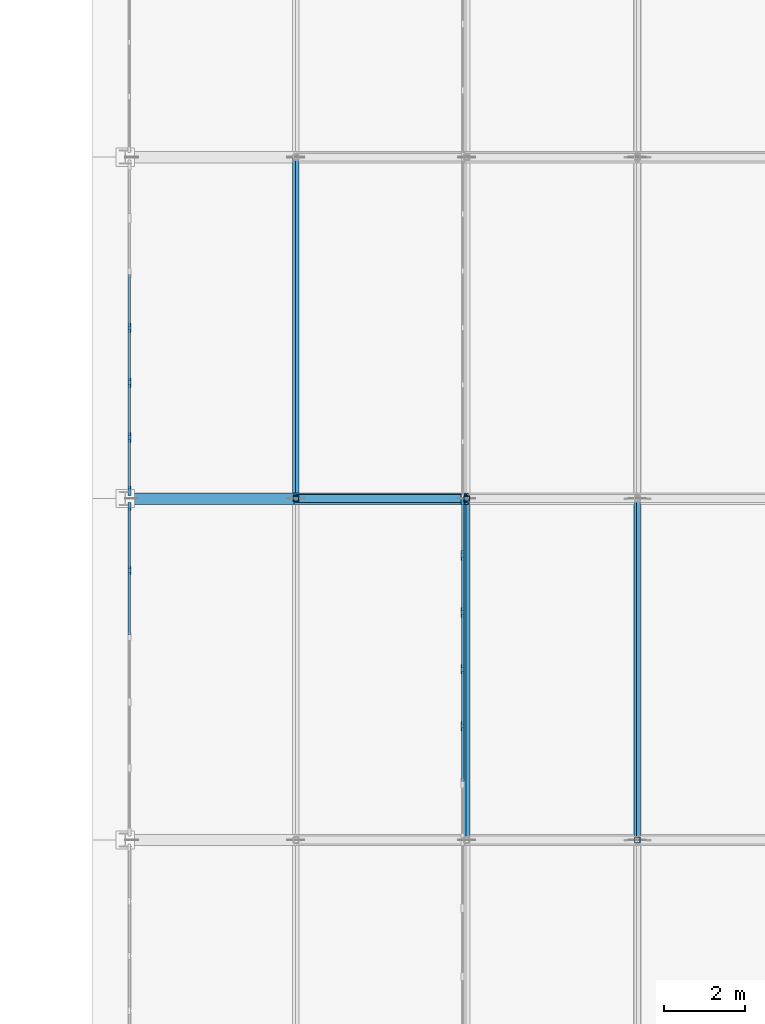
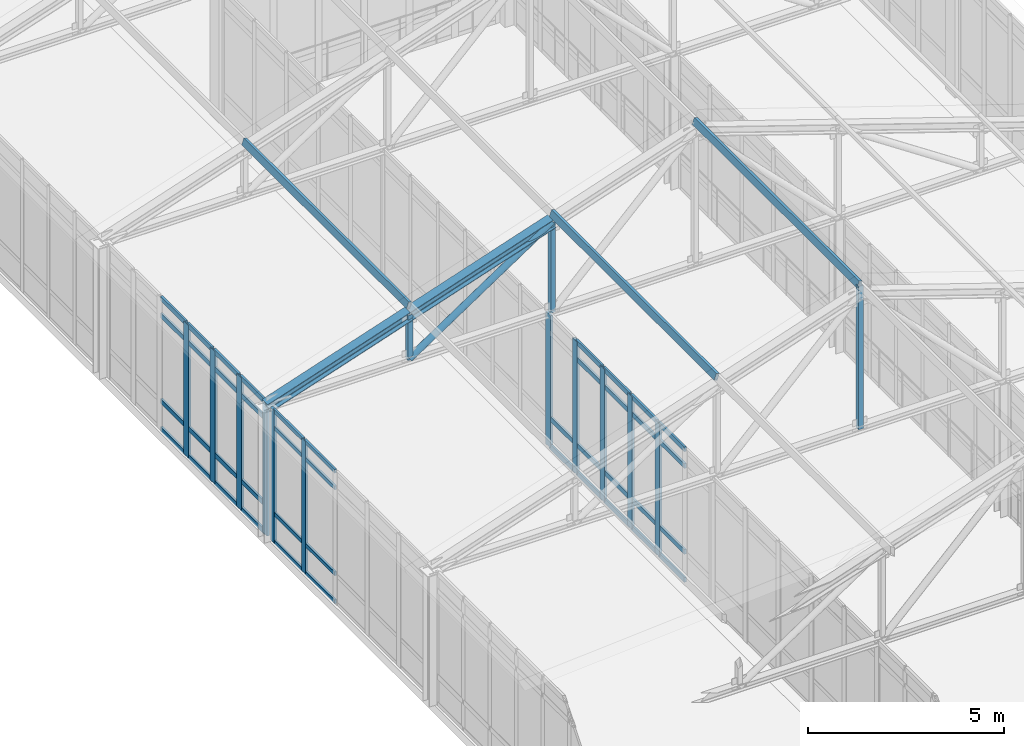
# One storey, part 52 of 192: 62 members, 3 elements without a shape of their own.
"""IFC4 building model written with IfcOpenShell, lengths in metres."""

from ifc_helpers import new_model, si_unit, direction, frame, origin, origin_2d, place, context, subcontext, project, spatial, rectangle, hollow_rectangle, hollow_circle, i_section, extrude, material, layer, layer_set, material_profile, profile_set, type_object, element, aggregate, save


model = new_model("IFC4")

# Units and contexts
model_context = context("Model", 3, precision=1e-05, world=origin(), true_north=direction((0.0, 1.0)))
body_context = subcontext(model_context, "Body", "Model", "MODEL_VIEW")
ifc_project = project(units=[si_unit("LENGTHUNIT", "METRE"), si_unit("AREAUNIT", "SQUARE_METRE"), si_unit("VOLUMEUNIT", "CUBIC_METRE"), si_unit("PLANEANGLEUNIT", "RADIAN"), si_unit("MASSUNIT", "GRAM", prefix="KILO")], contexts=[model_context])

# Site, building, storey
site_placement = place(None, origin())
site = spatial("IfcSite", under=ifc_project, at=site_placement, CompositionType="ELEMENT")
building_placement = place(site_placement, origin())
building = spatial("IfcBuilding", under=site, at=building_placement, Name="Kveldsbrygga Polytechnic", CompositionType="ELEMENT")
storey_placement = place(building_placement, frame((0.0, 0.0, 5.43994140625)))
storey = spatial("IfcBuildingStorey", under=building, at=storey_placement, Name="L01", CompositionType="ELEMENT", Elevation=5.43994140625)

# Curtain wall, members
ifc_material_1 = material(Name="Anodised aluminium AW-6060", Category="aluminium")
ifc_layer_1 = layer(ifc_material_1, 0.18994140625)
ifc_layer_set_1 = layer_set([ifc_layer_1], Name="Anodised aluminium AW-6060")
curtain_wall_type_1 = type_object("IfcCurtainWallType", Name="CW-REFC-G", PredefinedType="USERDEFINED", material=ifc_layer_set_1)
curtain_wall_1_placement = place(storey_placement, origin())
curtain_wall_1 = element("IfcCurtainWall", 1, at=curtain_wall_1_placement, inside=storey, type_object=curtain_wall_type_1, Name="Curtain Wall CW-L01-Y-06-06", ObjectType="UNITISED CURTAIN WALL", PredefinedType="USERDEFINED")
ifc_material_profile_1 = material_profile(ifc_material_1, rectangle(XDim=0.074951171875, YDim=0.199951171875, at=origin_2d()), Name="ALU 75x200")
ifc_profile_set_1 = profile_set([ifc_material_profile_1], Name="Anodised aluminium AW-6060")
member_type_1 = type_object("IfcMemberType", Name="CW-MUL-200", PredefinedType="MULLION", material=ifc_profile_set_1)
member_1_placement = place(storey_placement, frame((50.5, 57.027099609375, 0.0), z_axis=(0.0, 0.0, 1.0), x_axis=(-1.0, 0.0, 0.0)))
member_1 = element("IfcMember", 2, at=member_1_placement, type_object=member_type_1, Name="CW-07 mullion 5", PredefinedType="MULLION", context=body_context, shape_type="SweptSolid", body=[
    extrude(rectangle(XDim=0.074951171875, YDim=0.199951171875, at=origin_2d()), origin(), (0.0, 0.0, 1.0), 4.1201171875),
])
member_2_placement = place(storey_placement, frame((50.5, 58.607421875, 0.0), z_axis=(0.0, 0.0, 1.0), x_axis=(-1.0, 0.0, 0.0)))
member_2 = element("IfcMember", 3, at=member_2_placement, type_object=member_type_1, Name="CW-07 mullion 6", PredefinedType="MULLION", context=body_context, shape_type="SweptSolid", body=[
    extrude(rectangle(XDim=0.074951171875, YDim=0.199951171875, at=origin_2d()), origin(), (0.0, 0.0, 1.0), 4.1201171875),
])

ifc_layer_2 = layer(ifc_material_1, 0.2099609375)
ifc_layer_set_2 = layer_set([ifc_layer_2], Name="Anodised aluminium AW-6060")
curtain_wall_type_2 = type_object("IfcCurtainWallType", Name="CW-LIBR-H", PredefinedType="USERDEFINED", material=ifc_layer_set_2)
curtain_wall_2_placement = place(storey_placement, origin())
curtain_wall_2 = element("IfcCurtainWall", 4, at=curtain_wall_2_placement, inside=storey, type_object=curtain_wall_type_2, Name="Curtain Wall CW-L01-Y-07-06", ObjectType="UNITISED CURTAIN WALL", PredefinedType="USERDEFINED")
ifc_material_profile_2 = material_profile(ifc_material_1, rectangle(XDim=0.074951171875, YDim=0.239990234375, at=origin_2d()), Name="ALU 75x240")
ifc_profile_set_2 = profile_set([ifc_material_profile_2], Name="Anodised aluminium AW-6060")
member_type_2 = type_object("IfcMemberType", Name="CW-MUL-240", PredefinedType="MULLION", material=ifc_profile_set_2)
member_3_placement = place(storey_placement, frame((58.699951171875, 53.199951171875, 0.0), z_axis=(0.0, 0.0, 1.0), x_axis=(-1.0, 0.0, 0.0)))
member_3 = element("IfcMember", 5, at=member_3_placement, type_object=member_type_2, Name="CW-08 mullion 3", PredefinedType="MULLION", context=body_context, shape_type="SweptSolid", body=[
    extrude(rectangle(XDim=0.074951171875, YDim=0.239990234375, at=origin_2d()), origin(), (0.0, 0.0, 1.0), 4.1201171875),
])
member_4_placement = place(storey_placement, frame((58.699951171875, 54.60009765625, 0.0), z_axis=(0.0, 0.0, 1.0), x_axis=(-1.0, 0.0, 0.0)))
member_4 = element("IfcMember", 6, at=member_4_placement, type_object=member_type_2, Name="CW-08 mullion 4", PredefinedType="MULLION", context=body_context, shape_type="SweptSolid", body=[
    extrude(rectangle(XDim=0.074951171875, YDim=0.239990234375, at=origin_2d()), origin(), (0.0, 0.0, 1.0), 4.1201171875),
])
member_5_placement = place(storey_placement, frame((58.699951171875, 56.0, 0.0), z_axis=(0.0, 0.0, 1.0), x_axis=(-1.0, 0.0, 0.0)))
member_5 = element("IfcMember", 7, at=member_5_placement, type_object=member_type_2, Name="CW-08 mullion 5", PredefinedType="MULLION", context=body_context, shape_type="SweptSolid", body=[
    extrude(rectangle(XDim=0.074951171875, YDim=0.239990234375, at=origin_2d()), origin(), (0.0, 0.0, 1.0), 4.1201171875),
])
member_6_placement = place(storey_placement, frame((58.699951171875, 57.39990234375, 0.0), z_axis=(0.0, 0.0, 1.0), x_axis=(-1.0, 0.0, 0.0)))
member_6 = element("IfcMember", 8, at=member_6_placement, type_object=member_type_2, Name="CW-08 mullion 6", PredefinedType="MULLION", context=body_context, shape_type="SweptSolid", body=[
    extrude(rectangle(XDim=0.074951171875, YDim=0.239990234375, at=origin_2d()), origin(), (0.0, 0.0, 1.0), 4.1201171875),
])
member_7_placement = place(storey_placement, frame((58.699951171875, 58.762451171875, 0.0), z_axis=(0.0, 0.0, 1.0), x_axis=(-1.0, 0.0, 0.0)))
member_7 = element("IfcMember", 9, at=member_7_placement, type_object=member_type_2, Name="CW-08 mullion 7", PredefinedType="MULLION", context=body_context, shape_type="SweptSolid", body=[
    extrude(rectangle(XDim=0.074951171875, YDim=0.239990234375, at=origin_2d()), origin(), (0.0, 0.0, 1.0), 4.1201171875),
])

curtain_wall_3_placement = place(storey_placement, origin())
curtain_wall_3 = element("IfcCurtainWall", 10, at=curtain_wall_3_placement, inside=storey, type_object=curtain_wall_type_2, Name="Curtain Wall CW-L01-Y-06-07", ObjectType="UNITISED CURTAIN WALL", PredefinedType="USERDEFINED")
member_8_placement = place(storey_placement, frame((50.5, 58.992431640625, 0.0), z_axis=(0.0, 0.0, 1.0), x_axis=(-1.0, 0.0, 0.0)))
member_8 = element("IfcMember", 11, at=member_8_placement, type_object=member_type_2, Name="CW-08 mullion 1", PredefinedType="MULLION", context=body_context, shape_type="SweptSolid", body=[
    extrude(rectangle(XDim=0.074951171875, YDim=0.239990234375, at=origin_2d()), origin(), (0.0, 0.0, 1.0), 4.1201171875),
])
member_9_placement = place(storey_placement, frame((50.5, 60.30322265625, 0.0), z_axis=(0.0, 0.0, 1.0), x_axis=(-1.0, 0.0, 0.0)))
member_9 = element("IfcMember", 12, at=member_9_placement, type_object=member_type_2, Name="CW-08 mullion 2", PredefinedType="MULLION", context=body_context, shape_type="SweptSolid", body=[
    extrude(rectangle(XDim=0.074951171875, YDim=0.239990234375, at=origin_2d()), origin(), (0.0, 0.0, 1.0), 4.1201171875),
])
member_10_placement = place(storey_placement, frame((50.5, 61.651611328125, 0.0), z_axis=(0.0, 0.0, 1.0), x_axis=(-1.0, 0.0, 0.0)))
member_10 = element("IfcMember", 13, at=member_10_placement, type_object=member_type_2, Name="CW-08 mullion 3", PredefinedType="MULLION", context=body_context, shape_type="SweptSolid", body=[
    extrude(rectangle(XDim=0.074951171875, YDim=0.239990234375, at=origin_2d()), origin(), (0.0, 0.0, 1.0), 4.1201171875),
])
member_11_placement = place(storey_placement, frame((50.5, 63.0, 0.0), z_axis=(0.0, 0.0, 1.0), x_axis=(-1.0, 0.0, 0.0)))
member_11 = element("IfcMember", 14, at=member_11_placement, type_object=member_type_2, Name="CW-08 mullion 4", PredefinedType="MULLION", context=body_context, shape_type="SweptSolid", body=[
    extrude(rectangle(XDim=0.074951171875, YDim=0.239990234375, at=origin_2d()), origin(), (0.0, 0.0, 1.0), 4.1201171875),
])

# Member
ifc_material_profile_3 = material_profile(ifc_material_1, rectangle(XDim=0.06005859375, YDim=0.1201171875, at=origin_2d()), Name="ALU 60x120")
ifc_profile_set_3 = profile_set([ifc_material_profile_3], Name="Anodised aluminium AW-6060")
member_type_3 = type_object("IfcMemberType", Name="CW-TRN-120", PredefinedType="USERDEFINED", material=ifc_profile_set_3)
member_12_placement = place(storey_placement, frame((50.5, 55.446533203125, 0.030029296875), z_axis=(0.0, 1.0, 0.0), x_axis=(-1.0, 0.0, 0.0)))
member_12 = element("IfcMember", 15, at=member_12_placement, type_object=member_type_3, Name="CW-07 transom 4.1", ObjectType="TRANSOM", PredefinedType="USERDEFINED", context=body_context, shape_type="SweptSolid", body=[
    extrude(rectangle(XDim=0.06005859375, YDim=0.1201171875, at=origin_2d()), origin(), (0.0, 0.0, 1.0), 1.54296875),
])

member_13_placement = place(storey_placement, frame((50.5, 55.446533203125, 0.900146484375), z_axis=(0.0, 1.0, 0.0), x_axis=(-1.0, 0.0, 0.0)))
member_13 = element("IfcMember", 16, at=member_13_placement, type_object=member_type_3, Name="CW-07 transom 4.2", ObjectType="TRANSOM", PredefinedType="USERDEFINED", context=body_context, shape_type="SweptSolid", body=[
    extrude(rectangle(XDim=0.06005859375, YDim=0.1201171875, at=origin_2d()), origin(), (0.0, 0.0, 1.0), 1.54296875),
])

member_14_placement = place(storey_placement, frame((50.5, 55.446533203125, 3.570068359375), z_axis=(0.0, 1.0, 0.0), x_axis=(-1.0, 0.0, 0.0)))
member_14 = element("IfcMember", 17, at=member_14_placement, type_object=member_type_3, Name="CW-07 transom 4.3", ObjectType="TRANSOM", PredefinedType="USERDEFINED", context=body_context, shape_type="SweptSolid", body=[
    extrude(rectangle(XDim=0.06005859375, YDim=0.1201171875, at=origin_2d()), origin(), (0.0, 0.0, 1.0), 1.54296875),
])

member_15_placement = place(storey_placement, frame((50.5, 55.446533203125, 4.090087890625), z_axis=(0.0, 1.0, 0.0), x_axis=(-1.0, 0.0, 0.0)))
member_15 = element("IfcMember", 18, at=member_15_placement, type_object=member_type_3, Name="CW-07 transom 4.4", ObjectType="TRANSOM", PredefinedType="USERDEFINED", context=body_context, shape_type="SweptSolid", body=[
    extrude(rectangle(XDim=0.06005859375, YDim=0.1201171875, at=origin_2d()), origin(), (0.0, 0.0, 1.0), 1.54296875),
])

member_16_placement = place(storey_placement, frame((50.5, 57.064453125, 0.030029296875), z_axis=(0.0, 1.0, 0.0), x_axis=(-1.0, 0.0, 0.0)))
member_16 = element("IfcMember", 19, at=member_16_placement, type_object=member_type_3, Name="CW-07 transom 5.1", ObjectType="TRANSOM", PredefinedType="USERDEFINED", context=body_context, shape_type="SweptSolid", body=[
    extrude(rectangle(XDim=0.06005859375, YDim=0.1201171875, at=origin_2d()), origin(), (0.0, 0.0, 1.0), 1.505615234375),
])

member_17_placement = place(storey_placement, frame((50.5, 57.064453125, 0.900146484375), z_axis=(0.0, 1.0, 0.0), x_axis=(-1.0, 0.0, 0.0)))
member_17 = element("IfcMember", 20, at=member_17_placement, type_object=member_type_3, Name="CW-07 transom 5.2", ObjectType="TRANSOM", PredefinedType="USERDEFINED", context=body_context, shape_type="SweptSolid", body=[
    extrude(rectangle(XDim=0.06005859375, YDim=0.1201171875, at=origin_2d()), origin(), (0.0, 0.0, 1.0), 1.505615234375),
])

member_18_placement = place(storey_placement, frame((50.5, 57.064453125, 3.570068359375), z_axis=(0.0, 1.0, 0.0), x_axis=(-1.0, 0.0, 0.0)))
member_18 = element("IfcMember", 21, at=member_18_placement, type_object=member_type_3, Name="CW-07 transom 5.3", ObjectType="TRANSOM", PredefinedType="USERDEFINED", context=body_context, shape_type="SweptSolid", body=[
    extrude(rectangle(XDim=0.06005859375, YDim=0.1201171875, at=origin_2d()), origin(), (0.0, 0.0, 1.0), 1.505615234375),
])

member_19_placement = place(storey_placement, frame((50.5, 57.064453125, 4.090087890625), z_axis=(0.0, 1.0, 0.0), x_axis=(-1.0, 0.0, 0.0)))
member_19 = element("IfcMember", 22, at=member_19_placement, type_object=member_type_3, Name="CW-07 transom 5.4", ObjectType="TRANSOM", PredefinedType="USERDEFINED", context=body_context, shape_type="SweptSolid", body=[
    extrude(rectangle(XDim=0.06005859375, YDim=0.1201171875, at=origin_2d()), origin(), (0.0, 0.0, 1.0), 1.505615234375),
])

aggregate(curtain_wall_1, [member_1, member_2, member_12, member_13, member_14, member_15, member_16, member_17, member_18, member_19])

ifc_material_profile_4 = material_profile(ifc_material_1, rectangle(XDim=0.06005859375, YDim=0.14990234375, at=origin_2d()), Name="ALU 60x150")
ifc_profile_set_4 = profile_set([ifc_material_profile_4], Name="Anodised aluminium AW-6060")
member_type_4 = type_object("IfcMemberType", Name="CW-TRN-150", PredefinedType="USERDEFINED", material=ifc_profile_set_4)
member_20_placement = place(storey_placement, frame((58.699951171875, 51.83740234375, 0.030029296875), z_axis=(0.0, 1.0, 0.0), x_axis=(-1.0, 0.0, 0.0)))
member_20 = element("IfcMember", 23, at=member_20_placement, type_object=member_type_4, Name="CW-08 transom 2.1", ObjectType="TRANSOM", PredefinedType="USERDEFINED", context=body_context, shape_type="SweptSolid", body=[
    extrude(rectangle(XDim=0.06005859375, YDim=0.14990234375, at=origin_2d()), origin(), (0.0, 0.0, 1.0), 1.3251953125),
])

member_21_placement = place(storey_placement, frame((58.699951171875, 51.83740234375, 0.900146484375), z_axis=(0.0, 1.0, 0.0), x_axis=(-1.0, 0.0, 0.0)))
member_21 = element("IfcMember", 24, at=member_21_placement, type_object=member_type_4, Name="CW-08 transom 2.2", ObjectType="TRANSOM", PredefinedType="USERDEFINED", context=body_context, shape_type="SweptSolid", body=[
    extrude(rectangle(XDim=0.06005859375, YDim=0.14990234375, at=origin_2d()), origin(), (0.0, 0.0, 1.0), 1.3251953125),
])

member_22_placement = place(storey_placement, frame((58.699951171875, 51.83740234375, 3.570068359375), z_axis=(0.0, 1.0, 0.0), x_axis=(-1.0, 0.0, 0.0)))
member_22 = element("IfcMember", 25, at=member_22_placement, type_object=member_type_4, Name="CW-08 transom 2.3", ObjectType="TRANSOM", PredefinedType="USERDEFINED", context=body_context, shape_type="SweptSolid", body=[
    extrude(rectangle(XDim=0.06005859375, YDim=0.14990234375, at=origin_2d()), origin(), (0.0, 0.0, 1.0), 1.3251953125),
])

member_23_placement = place(storey_placement, frame((58.699951171875, 51.83740234375, 4.090087890625), z_axis=(0.0, 1.0, 0.0), x_axis=(-1.0, 0.0, 0.0)))
member_23 = element("IfcMember", 26, at=member_23_placement, type_object=member_type_4, Name="CW-08 transom 2.4", ObjectType="TRANSOM", PredefinedType="USERDEFINED", context=body_context, shape_type="SweptSolid", body=[
    extrude(rectangle(XDim=0.06005859375, YDim=0.14990234375, at=origin_2d()), origin(), (0.0, 0.0, 1.0), 1.3251953125),
])

member_24_placement = place(storey_placement, frame((58.699951171875, 53.237548828125, 0.030029296875), z_axis=(0.0, 1.0, 0.0), x_axis=(-1.0, 0.0, 0.0)))
member_24 = element("IfcMember", 27, at=member_24_placement, type_object=member_type_4, Name="CW-08 transom 3.1", ObjectType="TRANSOM", PredefinedType="USERDEFINED", context=body_context, shape_type="SweptSolid", body=[
    extrude(rectangle(XDim=0.06005859375, YDim=0.14990234375, at=origin_2d()), origin(), (0.0, 0.0, 1.0), 1.324951171875),
])

member_25_placement = place(storey_placement, frame((58.699951171875, 53.237548828125, 0.900146484375), z_axis=(0.0, 1.0, 0.0), x_axis=(-1.0, 0.0, 0.0)))
member_25 = element("IfcMember", 28, at=member_25_placement, type_object=member_type_4, Name="CW-08 transom 3.2", ObjectType="TRANSOM", PredefinedType="USERDEFINED", context=body_context, shape_type="SweptSolid", body=[
    extrude(rectangle(XDim=0.06005859375, YDim=0.14990234375, at=origin_2d()), origin(), (0.0, 0.0, 1.0), 1.324951171875),
])

member_26_placement = place(storey_placement, frame((58.699951171875, 53.237548828125, 3.570068359375), z_axis=(0.0, 1.0, 0.0), x_axis=(-1.0, 0.0, 0.0)))
member_26 = element("IfcMember", 29, at=member_26_placement, type_object=member_type_4, Name="CW-08 transom 3.3", ObjectType="TRANSOM", PredefinedType="USERDEFINED", context=body_context, shape_type="SweptSolid", body=[
    extrude(rectangle(XDim=0.06005859375, YDim=0.14990234375, at=origin_2d()), origin(), (0.0, 0.0, 1.0), 1.324951171875),
])

member_27_placement = place(storey_placement, frame((58.699951171875, 53.237548828125, 4.090087890625), z_axis=(0.0, 1.0, 0.0), x_axis=(-1.0, 0.0, 0.0)))
member_27 = element("IfcMember", 30, at=member_27_placement, type_object=member_type_4, Name="CW-08 transom 3.4", ObjectType="TRANSOM", PredefinedType="USERDEFINED", context=body_context, shape_type="SweptSolid", body=[
    extrude(rectangle(XDim=0.06005859375, YDim=0.14990234375, at=origin_2d()), origin(), (0.0, 0.0, 1.0), 1.324951171875),
])

member_28_placement = place(storey_placement, frame((58.699951171875, 54.637451171875, 0.030029296875), z_axis=(0.0, 1.0, 0.0), x_axis=(-1.0, 0.0, 0.0)))
member_28 = element("IfcMember", 31, at=member_28_placement, type_object=member_type_4, Name="CW-08 transom 4.1", ObjectType="TRANSOM", PredefinedType="USERDEFINED", context=body_context, shape_type="SweptSolid", body=[
    extrude(rectangle(XDim=0.06005859375, YDim=0.14990234375, at=origin_2d()), origin(), (0.0, 0.0, 1.0), 1.324951171875),
])

member_29_placement = place(storey_placement, frame((58.699951171875, 54.637451171875, 0.900146484375), z_axis=(0.0, 1.0, 0.0), x_axis=(-1.0, 0.0, 0.0)))
member_29 = element("IfcMember", 32, at=member_29_placement, type_object=member_type_4, Name="CW-08 transom 4.2", ObjectType="TRANSOM", PredefinedType="USERDEFINED", context=body_context, shape_type="SweptSolid", body=[
    extrude(rectangle(XDim=0.06005859375, YDim=0.14990234375, at=origin_2d()), origin(), (0.0, 0.0, 1.0), 1.324951171875),
])

member_30_placement = place(storey_placement, frame((58.699951171875, 54.637451171875, 3.570068359375), z_axis=(0.0, 1.0, 0.0), x_axis=(-1.0, 0.0, 0.0)))
member_30 = element("IfcMember", 33, at=member_30_placement, type_object=member_type_4, Name="CW-08 transom 4.3", ObjectType="TRANSOM", PredefinedType="USERDEFINED", context=body_context, shape_type="SweptSolid", body=[
    extrude(rectangle(XDim=0.06005859375, YDim=0.14990234375, at=origin_2d()), origin(), (0.0, 0.0, 1.0), 1.324951171875),
])

member_31_placement = place(storey_placement, frame((58.699951171875, 54.637451171875, 4.090087890625), z_axis=(0.0, 1.0, 0.0), x_axis=(-1.0, 0.0, 0.0)))
member_31 = element("IfcMember", 34, at=member_31_placement, type_object=member_type_4, Name="CW-08 transom 4.4", ObjectType="TRANSOM", PredefinedType="USERDEFINED", context=body_context, shape_type="SweptSolid", body=[
    extrude(rectangle(XDim=0.06005859375, YDim=0.14990234375, at=origin_2d()), origin(), (0.0, 0.0, 1.0), 1.324951171875),
])

member_32_placement = place(storey_placement, frame((58.699951171875, 56.03759765625, 0.030029296875), z_axis=(0.0, 1.0, 0.0), x_axis=(-1.0, 0.0, 0.0)))
member_32 = element("IfcMember", 35, at=member_32_placement, type_object=member_type_4, Name="CW-08 transom 5.1", ObjectType="TRANSOM", PredefinedType="USERDEFINED", context=body_context, shape_type="SweptSolid", body=[
    extrude(rectangle(XDim=0.06005859375, YDim=0.14990234375, at=origin_2d()), origin(), (0.0, 0.0, 1.0), 1.324951171875),
])

member_33_placement = place(storey_placement, frame((58.699951171875, 56.03759765625, 0.900146484375), z_axis=(0.0, 1.0, 0.0), x_axis=(-1.0, 0.0, 0.0)))
member_33 = element("IfcMember", 36, at=member_33_placement, type_object=member_type_4, Name="CW-08 transom 5.2", ObjectType="TRANSOM", PredefinedType="USERDEFINED", context=body_context, shape_type="SweptSolid", body=[
    extrude(rectangle(XDim=0.06005859375, YDim=0.14990234375, at=origin_2d()), origin(), (0.0, 0.0, 1.0), 1.324951171875),
])

member_34_placement = place(storey_placement, frame((58.699951171875, 56.03759765625, 3.570068359375), z_axis=(0.0, 1.0, 0.0), x_axis=(-1.0, 0.0, 0.0)))
member_34 = element("IfcMember", 37, at=member_34_placement, type_object=member_type_4, Name="CW-08 transom 5.3", ObjectType="TRANSOM", PredefinedType="USERDEFINED", context=body_context, shape_type="SweptSolid", body=[
    extrude(rectangle(XDim=0.06005859375, YDim=0.14990234375, at=origin_2d()), origin(), (0.0, 0.0, 1.0), 1.324951171875),
])

member_35_placement = place(storey_placement, frame((58.699951171875, 56.03759765625, 4.090087890625), z_axis=(0.0, 1.0, 0.0), x_axis=(-1.0, 0.0, 0.0)))
member_35 = element("IfcMember", 38, at=member_35_placement, type_object=member_type_4, Name="CW-08 transom 5.4", ObjectType="TRANSOM", PredefinedType="USERDEFINED", context=body_context, shape_type="SweptSolid", body=[
    extrude(rectangle(XDim=0.06005859375, YDim=0.14990234375, at=origin_2d()), origin(), (0.0, 0.0, 1.0), 1.324951171875),
])

member_36_placement = place(storey_placement, frame((58.699951171875, 57.4375, 0.030029296875), z_axis=(0.0, 1.0, 0.0), x_axis=(-1.0, 0.0, 0.0)))
member_36 = element("IfcMember", 39, at=member_36_placement, type_object=member_type_4, Name="CW-08 transom 6.1", ObjectType="TRANSOM", PredefinedType="USERDEFINED", context=body_context, shape_type="SweptSolid", body=[
    extrude(rectangle(XDim=0.06005859375, YDim=0.14990234375, at=origin_2d()), origin(), (0.0, 0.0, 1.0), 1.28759765625),
])

member_37_placement = place(storey_placement, frame((58.699951171875, 57.4375, 0.900146484375), z_axis=(0.0, 1.0, 0.0), x_axis=(-1.0, 0.0, 0.0)))
member_37 = element("IfcMember", 40, at=member_37_placement, type_object=member_type_4, Name="CW-08 transom 6.2", ObjectType="TRANSOM", PredefinedType="USERDEFINED", context=body_context, shape_type="SweptSolid", body=[
    extrude(rectangle(XDim=0.06005859375, YDim=0.14990234375, at=origin_2d()), origin(), (0.0, 0.0, 1.0), 1.28759765625),
])

aggregate(curtain_wall_2, [member_3, member_4, member_5, member_6, member_7, member_20, member_21, member_22, member_23, member_24, member_25, member_26, member_27, member_28, member_29, member_30, member_31, member_32, member_33, member_34, member_35, member_36, member_37])

member_38_placement = place(storey_placement, frame((50.5, 59.030029296875, 0.030029296875), z_axis=(0.0, 1.0, 0.0), x_axis=(-1.0, 0.0, 0.0)))
member_38 = element("IfcMember", 41, at=member_38_placement, type_object=member_type_4, Name="CW-08 transom 1.1", ObjectType="TRANSOM", PredefinedType="USERDEFINED", context=body_context, shape_type="SweptSolid", body=[
    extrude(rectangle(XDim=0.06005859375, YDim=0.14990234375, at=origin_2d()), origin(), (0.0, 0.0, 1.0), 1.23583984375),
])

member_39_placement = place(storey_placement, frame((50.5, 59.030029296875, 0.900146484375), z_axis=(0.0, 1.0, 0.0), x_axis=(-1.0, 0.0, 0.0)))
member_39 = element("IfcMember", 42, at=member_39_placement, type_object=member_type_4, Name="CW-08 transom 1.2", ObjectType="TRANSOM", PredefinedType="USERDEFINED", context=body_context, shape_type="SweptSolid", body=[
    extrude(rectangle(XDim=0.06005859375, YDim=0.14990234375, at=origin_2d()), origin(), (0.0, 0.0, 1.0), 1.23583984375),
])

member_40_placement = place(storey_placement, frame((50.5, 59.030029296875, 3.570068359375), z_axis=(0.0, 1.0, 0.0), x_axis=(-1.0, 0.0, 0.0)))
member_40 = element("IfcMember", 43, at=member_40_placement, type_object=member_type_4, Name="CW-08 transom 1.3", ObjectType="TRANSOM", PredefinedType="USERDEFINED", context=body_context, shape_type="SweptSolid", body=[
    extrude(rectangle(XDim=0.06005859375, YDim=0.14990234375, at=origin_2d()), origin(), (0.0, 0.0, 1.0), 1.23583984375),
])

member_41_placement = place(storey_placement, frame((50.5, 59.030029296875, 4.090087890625), z_axis=(0.0, 1.0, 0.0), x_axis=(-1.0, 0.0, 0.0)))
member_41 = element("IfcMember", 44, at=member_41_placement, type_object=member_type_4, Name="CW-08 transom 1.4", ObjectType="TRANSOM", PredefinedType="USERDEFINED", context=body_context, shape_type="SweptSolid", body=[
    extrude(rectangle(XDim=0.06005859375, YDim=0.14990234375, at=origin_2d()), origin(), (0.0, 0.0, 1.0), 1.23583984375),
])

member_42_placement = place(storey_placement, frame((50.5, 60.3408203125, 0.030029296875), z_axis=(0.0, 1.0, 0.0), x_axis=(-1.0, 0.0, 0.0)))
member_42 = element("IfcMember", 45, at=member_42_placement, type_object=member_type_4, Name="CW-08 transom 2.1", ObjectType="TRANSOM", PredefinedType="USERDEFINED", context=body_context, shape_type="SweptSolid", body=[
    extrude(rectangle(XDim=0.06005859375, YDim=0.14990234375, at=origin_2d()), origin(), (0.0, 0.0, 1.0), 1.2734375),
])

member_43_placement = place(storey_placement, frame((50.5, 60.3408203125, 0.900146484375), z_axis=(0.0, 1.0, 0.0), x_axis=(-1.0, 0.0, 0.0)))
member_43 = element("IfcMember", 46, at=member_43_placement, type_object=member_type_4, Name="CW-08 transom 2.2", ObjectType="TRANSOM", PredefinedType="USERDEFINED", context=body_context, shape_type="SweptSolid", body=[
    extrude(rectangle(XDim=0.06005859375, YDim=0.14990234375, at=origin_2d()), origin(), (0.0, 0.0, 1.0), 1.2734375),
])

member_44_placement = place(storey_placement, frame((50.5, 60.3408203125, 3.570068359375), z_axis=(0.0, 1.0, 0.0), x_axis=(-1.0, 0.0, 0.0)))
member_44 = element("IfcMember", 47, at=member_44_placement, type_object=member_type_4, Name="CW-08 transom 2.3", ObjectType="TRANSOM", PredefinedType="USERDEFINED", context=body_context, shape_type="SweptSolid", body=[
    extrude(rectangle(XDim=0.06005859375, YDim=0.14990234375, at=origin_2d()), origin(), (0.0, 0.0, 1.0), 1.2734375),
])

member_45_placement = place(storey_placement, frame((50.5, 60.3408203125, 4.090087890625), z_axis=(0.0, 1.0, 0.0), x_axis=(-1.0, 0.0, 0.0)))
member_45 = element("IfcMember", 48, at=member_45_placement, type_object=member_type_4, Name="CW-08 transom 2.4", ObjectType="TRANSOM", PredefinedType="USERDEFINED", context=body_context, shape_type="SweptSolid", body=[
    extrude(rectangle(XDim=0.06005859375, YDim=0.14990234375, at=origin_2d()), origin(), (0.0, 0.0, 1.0), 1.2734375),
])

member_46_placement = place(storey_placement, frame((50.5, 61.689208984375, 0.030029296875), z_axis=(0.0, 1.0, 0.0), x_axis=(-1.0, 0.0, 0.0)))
member_46 = element("IfcMember", 49, at=member_46_placement, type_object=member_type_4, Name="CW-08 transom 3.1", ObjectType="TRANSOM", PredefinedType="USERDEFINED", context=body_context, shape_type="SweptSolid", body=[
    extrude(rectangle(XDim=0.06005859375, YDim=0.14990234375, at=origin_2d()), origin(), (0.0, 0.0, 1.0), 1.273193359375),
])

member_47_placement = place(storey_placement, frame((50.5, 61.689208984375, 0.900146484375), z_axis=(0.0, 1.0, 0.0), x_axis=(-1.0, 0.0, 0.0)))
member_47 = element("IfcMember", 50, at=member_47_placement, type_object=member_type_4, Name="CW-08 transom 3.2", ObjectType="TRANSOM", PredefinedType="USERDEFINED", context=body_context, shape_type="SweptSolid", body=[
    extrude(rectangle(XDim=0.06005859375, YDim=0.14990234375, at=origin_2d()), origin(), (0.0, 0.0, 1.0), 1.273193359375),
])

member_48_placement = place(storey_placement, frame((50.5, 61.689208984375, 3.570068359375), z_axis=(0.0, 1.0, 0.0), x_axis=(-1.0, 0.0, 0.0)))
member_48 = element("IfcMember", 51, at=member_48_placement, type_object=member_type_4, Name="CW-08 transom 3.3", ObjectType="TRANSOM", PredefinedType="USERDEFINED", context=body_context, shape_type="SweptSolid", body=[
    extrude(rectangle(XDim=0.06005859375, YDim=0.14990234375, at=origin_2d()), origin(), (0.0, 0.0, 1.0), 1.273193359375),
])

member_49_placement = place(storey_placement, frame((50.5, 61.689208984375, 4.090087890625), z_axis=(0.0, 1.0, 0.0), x_axis=(-1.0, 0.0, 0.0)))
member_49 = element("IfcMember", 52, at=member_49_placement, type_object=member_type_4, Name="CW-08 transom 3.4", ObjectType="TRANSOM", PredefinedType="USERDEFINED", context=body_context, shape_type="SweptSolid", body=[
    extrude(rectangle(XDim=0.06005859375, YDim=0.14990234375, at=origin_2d()), origin(), (0.0, 0.0, 1.0), 1.273193359375),
])

member_50_placement = place(storey_placement, frame((50.5, 63.03759765625, 0.030029296875), z_axis=(0.0, 1.0, 0.0), x_axis=(-1.0, 0.0, 0.0)))
member_50 = element("IfcMember", 53, at=member_50_placement, type_object=member_type_4, Name="CW-08 transom 4.1", ObjectType="TRANSOM", PredefinedType="USERDEFINED", context=body_context, shape_type="SweptSolid", body=[
    extrude(rectangle(XDim=0.06005859375, YDim=0.14990234375, at=origin_2d()), origin(), (0.0, 0.0, 1.0), 1.273193359375),
])

member_51_placement = place(storey_placement, frame((50.5, 63.03759765625, 0.900146484375), z_axis=(0.0, 1.0, 0.0), x_axis=(-1.0, 0.0, 0.0)))
member_51 = element("IfcMember", 54, at=member_51_placement, type_object=member_type_4, Name="CW-08 transom 4.2", ObjectType="TRANSOM", PredefinedType="USERDEFINED", context=body_context, shape_type="SweptSolid", body=[
    extrude(rectangle(XDim=0.06005859375, YDim=0.14990234375, at=origin_2d()), origin(), (0.0, 0.0, 1.0), 1.273193359375),
])

member_52_placement = place(storey_placement, frame((50.5, 63.03759765625, 3.570068359375), z_axis=(0.0, 1.0, 0.0), x_axis=(-1.0, 0.0, 0.0)))
member_52 = element("IfcMember", 55, at=member_52_placement, type_object=member_type_4, Name="CW-08 transom 4.3", ObjectType="TRANSOM", PredefinedType="USERDEFINED", context=body_context, shape_type="SweptSolid", body=[
    extrude(rectangle(XDim=0.06005859375, YDim=0.14990234375, at=origin_2d()), origin(), (0.0, 0.0, 1.0), 1.273193359375),
])

member_53_placement = place(storey_placement, frame((50.5, 63.03759765625, 4.090087890625), z_axis=(0.0, 1.0, 0.0), x_axis=(-1.0, 0.0, 0.0)))
member_53 = element("IfcMember", 56, at=member_53_placement, type_object=member_type_4, Name="CW-08 transom 4.4", ObjectType="TRANSOM", PredefinedType="USERDEFINED", context=body_context, shape_type="SweptSolid", body=[
    extrude(rectangle(XDim=0.06005859375, YDim=0.14990234375, at=origin_2d()), origin(), (0.0, 0.0, 1.0), 1.273193359375),
])

aggregate(curtain_wall_3, [member_8, member_9, member_10, member_11, member_38, member_39, member_40, member_41, member_42, member_43, member_44, member_45, member_46, member_47, member_48, member_49, member_50, member_51, member_52, member_53])

# Members
ifc_material_2 = material(Name="Steel S355", Category="steel")
ifc_material_profile_5 = material_profile(ifc_material_2, hollow_rectangle(XDim=0.10009765625, YDim=0.199951171875, WallThickness=0.010009765625, at=origin_2d()), Name="RHS 200x100x10.0")
ifc_profile_set_5 = profile_set([ifc_material_profile_5], Name="Steel S355")
member_type_5 = type_object("IfcMemberType", Name="PRL-RHS200", PredefinedType="PURLIN", material=ifc_profile_set_5)
for number, where, z_axis, x_axis, name in (
    (57, (58.800048828125, 50.39990234375, 7.173095703125), (0.0, 1.0, 0.0), (-0.948683567514, 0.0, 0.316226957624), "Roof Purlin V5C-PRL-6-2"),
    (58, (63.0, 50.39990234375, 8.572998046875), (0.0, 1.0, 0.0), (-0.948683567514, 0.0, 0.316226957624), "Roof Purlin V5C-PRL-6-3"),
):
    element("IfcMember", number, at=place(storey_placement, frame(where, z_axis=z_axis, x_axis=x_axis)), inside=storey, type_object=member_type_5, Name=name, PredefinedType="PURLIN", context=body_context, shape_type="SweptSolid", body=[
        extrude(hollow_rectangle(XDim=0.10009765625, YDim=0.199951171875, WallThickness=0.010009765625, at=origin_2d()), origin(), (0.0, 0.0, 1.0), 8.400146484375),
    ])
member_54_placement = place(storey_placement, frame((54.60009765625, 58.800048828125, 5.77294921875), z_axis=(0.0, 1.0, 0.0), x_axis=(-0.948683567514, 0.0, 0.316226957624)))
element("IfcMember", 59, at=member_54_placement, inside=storey, type_object=member_type_5, Name="Roof Purlin V5C-PRL-7-1", PredefinedType="PURLIN", context=body_context, shape_type="SweptSolid", body=[
    extrude(hollow_rectangle(XDim=0.10009765625, YDim=0.199951171875, WallThickness=0.010009765625, at=origin_2d()), origin(), (0.0, 0.0, 1.0), 8.39990234375),
])
ifc_material_profile_6 = material_profile(ifc_material_2, hollow_circle(Radius=0.096923828125, WallThickness=0.010009765625, at=origin_2d()), Name="CHS 193.7x10.0")
ifc_profile_set_6 = profile_set([ifc_material_profile_6], Name="Steel S355")
member_type_6 = type_object("IfcMemberType", Name="TR-DIAG-CHS194", PredefinedType="BRACE", material=ifc_profile_set_6)
member_55_placement = place(storey_placement, frame((54.60009765625, 58.800048828125, 4.1201171875), z_axis=(0.832042853317, 0.0, 0.554711357594), x_axis=(0.0, 1.0, 0.0)))
element("IfcMember", 60, at=member_55_placement, inside=storey, type_object=member_type_6, Name="Truss Diagonal V5C-T07-DG-2", PredefinedType="BRACE", context=body_context, shape_type="SweptSolid", body=[
    extrude(hollow_circle(Radius=0.096923828125, WallThickness=0.010009765625, at=origin_2d()), origin(), (0.0, 0.0, 1.0), 5.0478515625),
])
ifc_material_profile_7 = material_profile(ifc_material_2, hollow_rectangle(XDim=0.139892578125, YDim=0.139892578125, WallThickness=0.008056640625, at=origin_2d()), Name="SHS 140x140x8.0")
ifc_profile_set_7 = profile_set([ifc_material_profile_7], Name="Steel S355")
member_type_7 = type_object("IfcMemberType", Name="TR-POST-SHS140", PredefinedType="STRUT", material=ifc_profile_set_7)
member_56_placement = place(storey_placement, frame((63.0, 50.39990234375, 4.1201171875), z_axis=(0.0, 0.0, 1.0), x_axis=(1.0, 0.0, 0.0)))
element("IfcMember", 61, at=member_56_placement, inside=storey, type_object=member_type_7, Name="Truss Vertical V5C-T06-VT-3", PredefinedType="STRUT", context=body_context, shape_type="SweptSolid", body=[
    extrude(hollow_rectangle(XDim=0.139892578125, YDim=0.139892578125, WallThickness=0.008056640625, at=origin_2d()), origin(), (0.0, 0.0, 1.0), 4.452880859375),
])
member_57_placement = place(storey_placement, frame((54.60009765625, 58.800048828125, 4.1201171875), z_axis=(0.0, 0.0, 1.0), x_axis=(1.0, 0.0, 0.0)))
element("IfcMember", 62, at=member_57_placement, inside=storey, type_object=member_type_7, Name="Truss Vertical V5C-T07-VT-1", PredefinedType="STRUT", context=body_context, shape_type="SweptSolid", body=[
    extrude(hollow_rectangle(XDim=0.139892578125, YDim=0.139892578125, WallThickness=0.008056640625, at=origin_2d()), origin(), (0.0, 0.0, 1.0), 1.39990234375),
])
member_58_placement = place(storey_placement, frame((58.800048828125, 58.800048828125, 4.1201171875), z_axis=(0.0, 0.0, 1.0), x_axis=(1.0, 0.0, 0.0)))
element("IfcMember", 63, at=member_58_placement, inside=storey, type_object=member_type_7, Name="Truss Vertical V5C-T07-VT-2", PredefinedType="STRUT", context=body_context, shape_type="SweptSolid", body=[
    extrude(hollow_rectangle(XDim=0.139892578125, YDim=0.139892578125, WallThickness=0.008056640625, at=origin_2d()), origin(), (0.0, 0.0, 1.0), 2.800048828125),
])
ifc_material_profile_8 = material_profile(ifc_material_2, i_section(OverallWidth=0.280029296875, OverallDepth=0.280029296875, WebThickness=0.010498046875, FlangeThickness=0.01806640625, FilletRadius=0.02392578125, at=origin_2d()), Name="HEB 280")
ifc_profile_set_8 = profile_set([ifc_material_profile_8], Name="Steel S355")
member_type_8 = type_object("IfcMemberType", Name="TR-TOP-HEB280", PredefinedType="CHORD", material=ifc_profile_set_8)
for number, where, z_axis, x_axis, name in (
    (64, (50.39990234375, 58.800048828125, 4.1201171875), (0.948694326238, 0.0, 0.316194679531), (0.0, 1.0, 0.0), "Truss Top Chord V5C-T07-TC-1"),
    (65, (54.60009765625, 58.800048828125, 5.52001953125), (0.948672268324, 0.0, 0.316260853272), (0.0, 1.0, 0.0), "Truss Top Chord V5C-T07-TC-2"),
):
    element("IfcMember", number, at=place(storey_placement, frame(where, z_axis=z_axis, x_axis=x_axis)), inside=storey, type_object=member_type_8, Name=name, PredefinedType="CHORD", context=body_context, shape_type="SweptSolid", body=[
        extrude(i_section(OverallWidth=0.280029296875, OverallDepth=0.280029296875, WebThickness=0.010498046875, FlangeThickness=0.01806640625, FilletRadius=0.02392578125, at=origin_2d()), origin(), (0.0, 0.0, 1.0), 4.42724609375),
    ])

save(model, "model.ifc")
